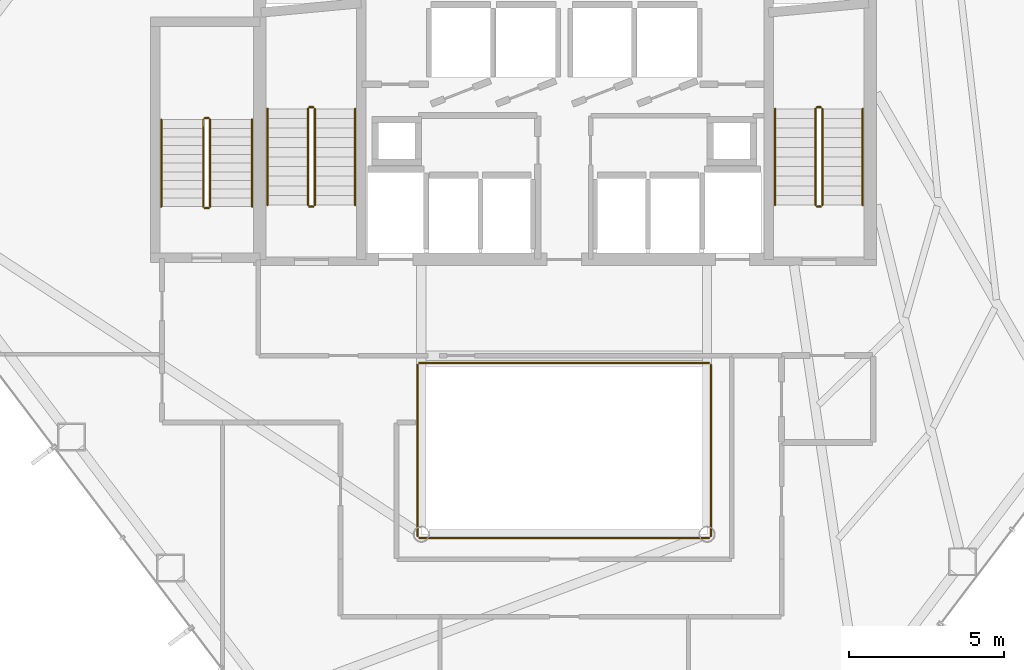
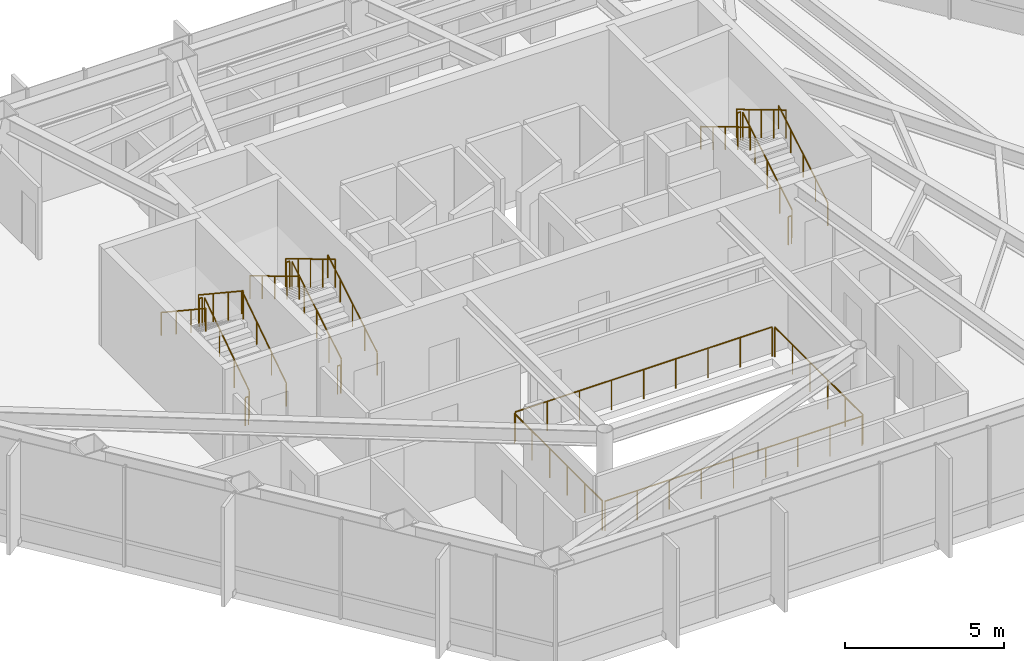
# One storey, part 25 of 25: 22 railings.
"""IFC4 building model written with IfcOpenShell, lengths in metres."""

from ifc_helpers import new_model, si_unit, direction, frame, origin, origin_2d, place, context, subcontext, project, spatial, circle, extrude, material, type_object, element, save


model = new_model("IFC4")

# Units and contexts
model_context = context("Model", 3, precision=1e-05, world=origin(), true_north=direction((0.0, 1.0)))
body_context = subcontext(model_context, "Body", "Model", "MODEL_VIEW")
ifc_project = project(units=[si_unit("LENGTHUNIT", "METRE"), si_unit("AREAUNIT", "SQUARE_METRE"), si_unit("VOLUMEUNIT", "CUBIC_METRE"), si_unit("PLANEANGLEUNIT", "RADIAN"), si_unit("MASSUNIT", "GRAM", prefix="KILO")], contexts=[model_context])

# Site, building, storey
site_placement = place(None, origin())
site = spatial("IfcSite", under=ifc_project, at=site_placement, CompositionType="ELEMENT")
building_placement = place(site_placement, origin())
building = spatial("IfcBuilding", under=site, at=building_placement, Name="Zarrinselat Tower", CompositionType="ELEMENT")
storey_placement = place(building_placement, frame((0.0, 0.0, 88.739990234375)))
storey = spatial("IfcBuildingStorey", under=building, at=storey_placement, Name="L21", CompositionType="ELEMENT", Elevation=88.739990234375)

# Railings
ifc_material_1 = material(Name="Double Low-E Laminated Solar Glass", Category="glass")
railing_type_1 = type_object("IfcRailingType", Name="RLG-ATRIUM-BAL", PredefinedType="BALUSTRADE", material=ifc_material_1)
railing_1_placement = place(storey_placement, frame((33.739990234375, 24.280029296875, 0.0)))
element("IfcRailing", 1, at=railing_1_placement, inside=storey, type_object=railing_type_1, Name="L21 Atrium Void Glass Balustrade S", PredefinedType="BALUSTRADE", context=body_context, shape_type="SweptSolid", body=[
    extrude(circle(Radius=0.02392578125, at=origin_2d()), frame((0.0, 0.0, 1.1259765625), z_axis=(1.0, 0.0, 0.0), x_axis=(0.0, 1.0, 0.0)), (0.0, 0.0, 1.0), 9.320068359375),
    extrude(circle(Radius=0.02099609375, at=origin_2d()), origin(), (0.0, 0.0, 1.0), 1.099853515625),
    extrude(circle(Radius=0.02099609375, at=origin_2d()), frame((1.1650390625, 0.0, 0.0)), (0.0, 0.0, 1.0), 1.099853515625),
    extrude(circle(Radius=0.02099609375, at=origin_2d()), frame((2.330078125, 0.0, 0.0)), (0.0, 0.0, 1.0), 1.099853515625),
    extrude(circle(Radius=0.02099609375, at=origin_2d()), frame((3.4951171875, 0.0, 0.0)), (0.0, 0.0, 1.0), 1.099853515625),
    extrude(circle(Radius=0.02099609375, at=origin_2d()), frame((4.66015625, 0.0, 0.0)), (0.0, 0.0, 1.0), 1.099853515625),
    extrude(circle(Radius=0.02099609375, at=origin_2d()), frame((5.824951171875, 0.0, 0.0)), (0.0, 0.0, 1.0), 1.099853515625),
    extrude(circle(Radius=0.02099609375, at=origin_2d()), frame((6.989990234375, 0.0, 0.0)), (0.0, 0.0, 1.0), 1.099853515625),
    extrude(circle(Radius=0.02099609375, at=origin_2d()), frame((8.155029296875, 0.0, 0.0)), (0.0, 0.0, 1.0), 1.099853515625),
    extrude(circle(Radius=0.02099609375, at=origin_2d()), frame((9.320068359375, 0.0, 0.0)), (0.0, 0.0, 1.0), 1.099853515625),
])
railing_2_placement = place(storey_placement, frame((43.1201171875, 24.340087890625, 0.0)))
element("IfcRailing", 2, at=railing_2_placement, inside=storey, type_object=railing_type_1, Name="L21 Atrium Void Glass Balustrade E", PredefinedType="BALUSTRADE", context=body_context, shape_type="SweptSolid", body=[
    extrude(circle(Radius=0.02392578125, at=origin_2d()), frame((0.0, 0.0, 1.1259765625), z_axis=(0.0, 1.0, 0.0), x_axis=(-1.0, 0.0, 0.0)), (0.0, 0.0, 1.0), 5.52001953125),
    extrude(circle(Radius=0.02099609375, at=origin_2d()), origin(), (0.0, 0.0, 1.0), 1.099853515625),
    extrude(circle(Radius=0.02099609375, at=origin_2d()), frame((0.0, 1.10400390625, 0.0)), (0.0, 0.0, 1.0), 1.099853515625),
    extrude(circle(Radius=0.02099609375, at=origin_2d()), frame((0.0, 2.2080078125, 0.0)), (0.0, 0.0, 1.0), 1.099853515625),
    extrude(circle(Radius=0.02099609375, at=origin_2d()), frame((0.0, 3.31201171875, 0.0)), (0.0, 0.0, 1.0), 1.099853515625),
    extrude(circle(Radius=0.02099609375, at=origin_2d()), frame((0.0, 4.416015625, 0.0)), (0.0, 0.0, 1.0), 1.099853515625),
    extrude(circle(Radius=0.02099609375, at=origin_2d()), frame((0.0, 5.52001953125, 0.0)), (0.0, 0.0, 1.0), 1.099853515625),
])
railing_3_placement = place(storey_placement, frame((43.06005859375, 29.919921875, 0.0)))
element("IfcRailing", 3, at=railing_3_placement, inside=storey, type_object=railing_type_1, Name="L21 Atrium Void Glass Balustrade N", PredefinedType="BALUSTRADE", context=body_context, shape_type="SweptSolid", body=[
    extrude(circle(Radius=0.02392578125, at=origin_2d()), frame((0.0, 0.0, 1.1259765625), z_axis=(-1.0, 0.0, 0.0), x_axis=(0.0, -1.0, 0.0)), (0.0, 0.0, 1.0), 9.320068359375),
    extrude(circle(Radius=0.02099609375, at=origin_2d()), origin(), (0.0, 0.0, 1.0), 1.099853515625),
    extrude(circle(Radius=0.02099609375, at=origin_2d()), frame((-1.1650390625, 0.0, 0.0)), (0.0, 0.0, 1.0), 1.099853515625),
    extrude(circle(Radius=0.02099609375, at=origin_2d()), frame((-2.330078125, 0.0, 0.0)), (0.0, 0.0, 1.0), 1.099853515625),
    extrude(circle(Radius=0.02099609375, at=origin_2d()), frame((-3.4951171875, 0.0, 0.0)), (0.0, 0.0, 1.0), 1.099853515625),
    extrude(circle(Radius=0.02099609375, at=origin_2d()), frame((-4.66015625, 0.0, 0.0)), (0.0, 0.0, 1.0), 1.099853515625),
    extrude(circle(Radius=0.02099609375, at=origin_2d()), frame((-5.824951171875, 0.0, 0.0)), (0.0, 0.0, 1.0), 1.099853515625),
    extrude(circle(Radius=0.02099609375, at=origin_2d()), frame((-6.989990234375, 0.0, 0.0)), (0.0, 0.0, 1.0), 1.099853515625),
    extrude(circle(Radius=0.02099609375, at=origin_2d()), frame((-8.155029296875, 0.0, 0.0)), (0.0, 0.0, 1.0), 1.099853515625),
    extrude(circle(Radius=0.02099609375, at=origin_2d()), frame((-9.320068359375, 0.0, 0.0)), (0.0, 0.0, 1.0), 1.099853515625),
])
railing_4_placement = place(storey_placement, frame((33.679931640625, 29.860107421875, 0.0)))
element("IfcRailing", 4, at=railing_4_placement, inside=storey, type_object=railing_type_1, Name="L21 Atrium Void Glass Balustrade W", PredefinedType="BALUSTRADE", context=body_context, shape_type="SweptSolid", body=[
    extrude(circle(Radius=0.02392578125, at=origin_2d()), frame((0.0, 0.0, 1.1259765625), z_axis=(0.0, -1.0, 0.0), x_axis=(1.0, 0.0, 0.0)), (0.0, 0.0, 1.0), 5.52001953125),
    extrude(circle(Radius=0.02099609375, at=origin_2d()), origin(), (0.0, 0.0, 1.0), 1.099853515625),
    extrude(circle(Radius=0.02099609375, at=origin_2d()), frame((0.0, -1.10400390625, 0.0)), (0.0, 0.0, 1.0), 1.099853515625),
    extrude(circle(Radius=0.02099609375, at=origin_2d()), frame((0.0, -2.2080078125, 0.0)), (0.0, 0.0, 1.0), 1.099853515625),
    extrude(circle(Radius=0.02099609375, at=origin_2d()), frame((0.0, -3.31201171875, 0.0)), (0.0, 0.0, 1.0), 1.099853515625),
    extrude(circle(Radius=0.02099609375, at=origin_2d()), frame((0.0, -4.416015625, 0.0)), (0.0, 0.0, 1.0), 1.099853515625),
    extrude(circle(Radius=0.02099609375, at=origin_2d()), frame((0.0, -5.52001953125, 0.0)), (0.0, 0.0, 1.0), 1.099853515625),
])
ifc_material_2 = material(Name="Steel S355J2", Category="steel")
railing_type_2 = type_object("IfcRailingType", Name="RLG-STAIR-GUARD", PredefinedType="GUARDRAIL", material=ifc_material_2)
railing_5_placement = place(storey_placement, frame((30.3701171875, 35.0, 0.185546875)))
element("IfcRailing", 5, at=railing_5_placement, inside=storey, type_object=railing_type_2, Name="L21 ST-1 stair guard 1", PredefinedType="GUARDRAIL", context=body_context, shape_type="SweptSolid", body=[
    extrude(circle(Radius=0.02392578125, at=origin_2d()), frame((0.0, 0.0, 1.076171875), z_axis=(0.0, 0.858171985069, 0.513362293163), x_axis=(-1.0, 0.0, 0.0)), (0.0, 0.0, 1.0), 3.612548828125),
    extrude(circle(Radius=0.02099609375, at=origin_2d()), origin(), (0.0, 0.0, 1.0), 1.050048828125),
    extrude(circle(Radius=0.02099609375, at=origin_2d()), frame((0.0, 0.77490234375, 0.463623046875)), (0.0, 0.0, 1.0), 1.050048828125),
    extrude(circle(Radius=0.02099609375, at=origin_2d()), frame((0.0, 1.550048828125, 0.92724609375)), (0.0, 0.0, 1.0), 1.050048828125),
    extrude(circle(Radius=0.02099609375, at=origin_2d()), frame((0.0, 2.3251953125, 1.390869140625)), (0.0, 0.0, 1.0), 1.050048828125),
    extrude(circle(Radius=0.02099609375, at=origin_2d()), frame((0.0, 3.10009765625, 1.8544921875)), (0.0, 0.0, 1.0), 1.050048828125),
])
railing_6_placement = place(storey_placement, frame((30.320068359375, 38.14990234375, 2.0400390625)))
element("IfcRailing", 6, at=railing_6_placement, inside=storey, type_object=railing_type_2, Name="L21 ST-1 stair guard 2", PredefinedType="GUARDRAIL", context=body_context, shape_type="SweptSolid", body=[
    extrude(circle(Radius=0.02392578125, at=origin_2d()), frame((0.0, 0.0, 1.076171875), z_axis=(-1.0, 0.0, 0.0), x_axis=(0.0, -1.0, 0.0)), (0.0, 0.0, 1.0), 0.1201171875),
    extrude(circle(Radius=0.02099609375, at=origin_2d()), origin(), (0.0, 0.0, 1.0), 1.050048828125),
    extrude(circle(Radius=0.02099609375, at=origin_2d()), frame((-0.1201171875, 0.0, 0.0)), (0.0, 0.0, 1.0), 1.050048828125),
])
railing_7_placement = place(storey_placement, frame((30.14990234375, 38.10009765625, 2.2255859375)))
element("IfcRailing", 7, at=railing_7_placement, inside=storey, type_object=railing_type_2, Name="L21 ST-1 stair guard 3", PredefinedType="GUARDRAIL", context=body_context, shape_type="SweptSolid", body=[
    extrude(circle(Radius=0.02392578125, at=origin_2d()), frame((0.0, 0.0, 1.076171875), z_axis=(0.0, -0.858171985069, 0.513362293163), x_axis=(1.0, 0.0, 0.0)), (0.0, 0.0, 1.0), 3.612548828125),
    extrude(circle(Radius=0.02099609375, at=origin_2d()), origin(), (0.0, 0.0, 1.0), 1.050048828125),
    extrude(circle(Radius=0.02099609375, at=origin_2d()), frame((0.0, -0.77490234375, 0.463623046875)), (0.0, 0.0, 1.0), 1.050048828125),
    extrude(circle(Radius=0.02099609375, at=origin_2d()), frame((0.0, -1.550048828125, 0.92724609375)), (0.0, 0.0, 1.0), 1.050048828125),
    extrude(circle(Radius=0.02099609375, at=origin_2d()), frame((0.0, -2.3251953125, 1.390869140625)), (0.0, 0.0, 1.0), 1.050048828125),
    extrude(circle(Radius=0.02099609375, at=origin_2d()), frame((0.0, -3.10009765625, 1.8544921875)), (0.0, 0.0, 1.0), 1.050048828125),
])
railing_8_placement = place(storey_placement, frame((30.320068359375, 34.949951171875, 0.0)))
element("IfcRailing", 8, at=railing_8_placement, inside=storey, type_object=railing_type_2, Name="L21 ST-1 stair guard 4", PredefinedType="GUARDRAIL", context=body_context, shape_type="SweptSolid", body=[
    extrude(circle(Radius=0.02392578125, at=origin_2d()), frame((0.0, 0.0, 1.076171875), z_axis=(-1.0, 0.0, 0.0), x_axis=(0.0, -1.0, 0.0)), (0.0, 0.0, 1.0), 0.1201171875),
    extrude(circle(Radius=0.02099609375, at=origin_2d()), origin(), (0.0, 0.0, 1.0), 1.050048828125),
    extrude(circle(Radius=0.02099609375, at=origin_2d()), frame((-0.1201171875, 0.0, 0.0)), (0.0, 0.0, 1.0), 1.050048828125),
])
railing_9_placement = place(storey_placement, frame((46.7099609375, 35.0, 0.185546875)))
element("IfcRailing", 9, at=railing_9_placement, inside=storey, type_object=railing_type_2, Name="L21 ST-2 stair guard 1", PredefinedType="GUARDRAIL", context=body_context, shape_type="SweptSolid", body=[
    extrude(circle(Radius=0.02392578125, at=origin_2d()), frame((0.0, 0.0, 1.076171875), z_axis=(0.0, 0.858171985069, 0.513362293163), x_axis=(-1.0, 0.0, 0.0)), (0.0, 0.0, 1.0), 3.612548828125),
    extrude(circle(Radius=0.02099609375, at=origin_2d()), origin(), (0.0, 0.0, 1.0), 1.050048828125),
    extrude(circle(Radius=0.02099609375, at=origin_2d()), frame((0.0, 0.77490234375, 0.463623046875)), (0.0, 0.0, 1.0), 1.050048828125),
    extrude(circle(Radius=0.02099609375, at=origin_2d()), frame((0.0, 1.550048828125, 0.92724609375)), (0.0, 0.0, 1.0), 1.050048828125),
    extrude(circle(Radius=0.02099609375, at=origin_2d()), frame((0.0, 2.3251953125, 1.390869140625)), (0.0, 0.0, 1.0), 1.050048828125),
    extrude(circle(Radius=0.02099609375, at=origin_2d()), frame((0.0, 3.10009765625, 1.8544921875)), (0.0, 0.0, 1.0), 1.050048828125),
])
railing_10_placement = place(storey_placement, frame((46.659912109375, 38.14990234375, 2.0400390625)))
element("IfcRailing", 10, at=railing_10_placement, inside=storey, type_object=railing_type_2, Name="L21 ST-2 stair guard 2", PredefinedType="GUARDRAIL", context=body_context, shape_type="SweptSolid", body=[
    extrude(circle(Radius=0.02392578125, at=origin_2d()), frame((0.0, 0.0, 1.076171875), z_axis=(-1.0, 0.0, 0.0), x_axis=(0.0, -1.0, 0.0)), (0.0, 0.0, 1.0), 0.119873046875),
    extrude(circle(Radius=0.02099609375, at=origin_2d()), origin(), (0.0, 0.0, 1.0), 1.050048828125),
    extrude(circle(Radius=0.02099609375, at=origin_2d()), frame((-0.119873046875, 0.0, 0.0)), (0.0, 0.0, 1.0), 1.050048828125),
])
railing_11_placement = place(storey_placement, frame((46.489990234375, 38.10009765625, 2.2255859375)))
element("IfcRailing", 11, at=railing_11_placement, inside=storey, type_object=railing_type_2, Name="L21 ST-2 stair guard 3", PredefinedType="GUARDRAIL", context=body_context, shape_type="SweptSolid", body=[
    extrude(circle(Radius=0.02392578125, at=origin_2d()), frame((0.0, 0.0, 1.076171875), z_axis=(0.0, -0.858171985069, 0.513362293163), x_axis=(1.0, 0.0, 0.0)), (0.0, 0.0, 1.0), 3.612548828125),
    extrude(circle(Radius=0.02099609375, at=origin_2d()), origin(), (0.0, 0.0, 1.0), 1.050048828125),
    extrude(circle(Radius=0.02099609375, at=origin_2d()), frame((0.0, -0.77490234375, 0.463623046875)), (0.0, 0.0, 1.0), 1.050048828125),
    extrude(circle(Radius=0.02099609375, at=origin_2d()), frame((0.0, -1.550048828125, 0.92724609375)), (0.0, 0.0, 1.0), 1.050048828125),
    extrude(circle(Radius=0.02099609375, at=origin_2d()), frame((0.0, -2.3251953125, 1.390869140625)), (0.0, 0.0, 1.0), 1.050048828125),
    extrude(circle(Radius=0.02099609375, at=origin_2d()), frame((0.0, -3.10009765625, 1.8544921875)), (0.0, 0.0, 1.0), 1.050048828125),
])
railing_12_placement = place(storey_placement, frame((46.659912109375, 34.949951171875, 0.0)))
element("IfcRailing", 12, at=railing_12_placement, inside=storey, type_object=railing_type_2, Name="L21 ST-2 stair guard 4", PredefinedType="GUARDRAIL", context=body_context, shape_type="SweptSolid", body=[
    extrude(circle(Radius=0.02392578125, at=origin_2d()), frame((0.0, 0.0, 1.076171875), z_axis=(-1.0, 0.0, 0.0), x_axis=(0.0, -1.0, 0.0)), (0.0, 0.0, 1.0), 0.119873046875),
    extrude(circle(Radius=0.02099609375, at=origin_2d()), origin(), (0.0, 0.0, 1.0), 1.050048828125),
    extrude(circle(Radius=0.02099609375, at=origin_2d()), frame((-0.119873046875, 0.0, 0.0)), (0.0, 0.0, 1.0), 1.050048828125),
])
railing_13_placement = place(storey_placement, frame((27.0, 34.949951171875, 0.185546875)))
element("IfcRailing", 13, at=railing_13_placement, inside=storey, type_object=railing_type_2, Name="L21 ST-3 stair guard 1", PredefinedType="GUARDRAIL", context=body_context, shape_type="SweptSolid", body=[
    extrude(circle(Radius=0.02392578125, at=origin_2d()), frame((0.0, 0.0, 1.076171875), z_axis=(0.0, 0.833724036255, 0.552181339209), x_axis=(-1.0, 0.0, 0.0)), (0.0, 0.0, 1.0), 3.3583984375),
    extrude(circle(Radius=0.02099609375, at=origin_2d()), origin(), (0.0, 0.0, 1.0), 1.050048828125),
    extrude(circle(Radius=0.02099609375, at=origin_2d()), frame((0.0, 0.933349609375, 0.6181640625)), (0.0, 0.0, 1.0), 1.050048828125),
    extrude(circle(Radius=0.02099609375, at=origin_2d()), frame((0.0, 1.86669921875, 1.236328125)), (0.0, 0.0, 1.0), 1.050048828125),
    extrude(circle(Radius=0.02099609375, at=origin_2d()), frame((0.0, 2.800048828125, 1.8544921875)), (0.0, 0.0, 1.0), 1.050048828125),
])
railing_14_placement = place(storey_placement, frame((26.949951171875, 37.800048828125, 2.0400390625)))
element("IfcRailing", 14, at=railing_14_placement, inside=storey, type_object=railing_type_2, Name="L21 ST-3 stair guard 2", PredefinedType="GUARDRAIL", context=body_context, shape_type="SweptSolid", body=[
    extrude(circle(Radius=0.02392578125, at=origin_2d()), frame((0.0, 0.0, 1.076171875), z_axis=(-1.0, 0.0, 0.0), x_axis=(0.0, -1.0, 0.0)), (0.0, 0.0, 1.0), 0.119873046875),
    extrude(circle(Radius=0.02099609375, at=origin_2d()), origin(), (0.0, 0.0, 1.0), 1.050048828125),
    extrude(circle(Radius=0.02099609375, at=origin_2d()), frame((-0.119873046875, 0.0, 0.0)), (0.0, 0.0, 1.0), 1.050048828125),
])
railing_15_placement = place(storey_placement, frame((26.780029296875, 37.75, 2.2255859375)))
element("IfcRailing", 15, at=railing_15_placement, inside=storey, type_object=railing_type_2, Name="L21 ST-3 stair guard 3", PredefinedType="GUARDRAIL", context=body_context, shape_type="SweptSolid", body=[
    extrude(circle(Radius=0.02392578125, at=origin_2d()), frame((0.0, 0.0, 1.076171875), z_axis=(0.0, -0.833724036255, 0.552181339209), x_axis=(1.0, 0.0, 0.0)), (0.0, 0.0, 1.0), 3.3583984375),
    extrude(circle(Radius=0.02099609375, at=origin_2d()), origin(), (0.0, 0.0, 1.0), 1.050048828125),
    extrude(circle(Radius=0.02099609375, at=origin_2d()), frame((0.0, -0.933349609375, 0.6181640625)), (0.0, 0.0, 1.0), 1.050048828125),
    extrude(circle(Radius=0.02099609375, at=origin_2d()), frame((0.0, -1.86669921875, 1.236328125)), (0.0, 0.0, 1.0), 1.050048828125),
    extrude(circle(Radius=0.02099609375, at=origin_2d()), frame((0.0, -2.800048828125, 1.8544921875)), (0.0, 0.0, 1.0), 1.050048828125),
])
railing_16_placement = place(storey_placement, frame((26.949951171875, 34.89990234375, 0.0)))
element("IfcRailing", 16, at=railing_16_placement, inside=storey, type_object=railing_type_2, Name="L21 ST-3 stair guard 4", PredefinedType="GUARDRAIL", context=body_context, shape_type="SweptSolid", body=[
    extrude(circle(Radius=0.02392578125, at=origin_2d()), frame((0.0, 0.0, 1.076171875), z_axis=(-1.0, 0.0, 0.0), x_axis=(0.0, -1.0, 0.0)), (0.0, 0.0, 1.0), 0.119873046875),
    extrude(circle(Radius=0.02099609375, at=origin_2d()), origin(), (0.0, 0.0, 1.0), 1.050048828125),
    extrude(circle(Radius=0.02099609375, at=origin_2d()), frame((-0.119873046875, 0.0, 0.0)), (0.0, 0.0, 1.0), 1.050048828125),
])
ifc_material_3 = material(Name="Steel S355J2", Category="steel")
railing_type_3 = type_object("IfcRailingType", Name="RLG-STAIR-HAND", PredefinedType="HANDRAIL", material=ifc_material_3)
railing_17_placement = place(storey_placement, frame((31.669921875, 35.0, 0.185546875)))
element("IfcRailing", 17, at=railing_17_placement, inside=storey, type_object=railing_type_3, Name="L21 ST-1 stair handrail 1", PredefinedType="HANDRAIL", context=body_context, shape_type="SweptSolid", body=[
    extrude(circle(Radius=0.02392578125, at=origin_2d()), frame((0.0, 0.0, 0.8759765625), z_axis=(0.0, 0.858171985069, 0.513362293163), x_axis=(-1.0, 0.0, 0.0)), (0.0, 0.0, 1.0), 3.612548828125),
    extrude(circle(Radius=0.02099609375, at=origin_2d()), origin(), (0.0, 0.0, 1.0), 0.849853515625),
    extrude(circle(Radius=0.02099609375, at=origin_2d()), frame((0.0, 0.77490234375, 0.463623046875)), (0.0, 0.0, 1.0), 0.849853515625),
    extrude(circle(Radius=0.02099609375, at=origin_2d()), frame((0.0, 1.550048828125, 0.92724609375)), (0.0, 0.0, 1.0), 0.849853515625),
    extrude(circle(Radius=0.02099609375, at=origin_2d()), frame((0.0, 2.3251953125, 1.390869140625)), (0.0, 0.0, 1.0), 0.849853515625),
    extrude(circle(Radius=0.02099609375, at=origin_2d()), frame((0.0, 3.10009765625, 1.8544921875)), (0.0, 0.0, 1.0), 0.849853515625),
])
railing_18_placement = place(storey_placement, frame((28.85009765625, 38.10009765625, 2.2255859375)))
element("IfcRailing", 18, at=railing_18_placement, inside=storey, type_object=railing_type_3, Name="L21 ST-1 stair handrail 2", PredefinedType="HANDRAIL", context=body_context, shape_type="SweptSolid", body=[
    extrude(circle(Radius=0.02392578125, at=origin_2d()), frame((0.0, 0.0, 0.8759765625), z_axis=(0.0, -0.858171985069, 0.513362293163), x_axis=(1.0, 0.0, 0.0)), (0.0, 0.0, 1.0), 3.612548828125),
    extrude(circle(Radius=0.02099609375, at=origin_2d()), origin(), (0.0, 0.0, 1.0), 0.849853515625),
    extrude(circle(Radius=0.02099609375, at=origin_2d()), frame((0.0, -0.77490234375, 0.463623046875)), (0.0, 0.0, 1.0), 0.849853515625),
    extrude(circle(Radius=0.02099609375, at=origin_2d()), frame((0.0, -1.550048828125, 0.92724609375)), (0.0, 0.0, 1.0), 0.849853515625),
    extrude(circle(Radius=0.02099609375, at=origin_2d()), frame((0.0, -2.3251953125, 1.390869140625)), (0.0, 0.0, 1.0), 0.849853515625),
    extrude(circle(Radius=0.02099609375, at=origin_2d()), frame((0.0, -3.10009765625, 1.8544921875)), (0.0, 0.0, 1.0), 0.849853515625),
])
railing_19_placement = place(storey_placement, frame((48.010009765625, 35.0, 0.185546875)))
element("IfcRailing", 19, at=railing_19_placement, inside=storey, type_object=railing_type_3, Name="L21 ST-2 stair handrail 1", PredefinedType="HANDRAIL", context=body_context, shape_type="SweptSolid", body=[
    extrude(circle(Radius=0.02392578125, at=origin_2d()), frame((0.0, 0.0, 0.8759765625), z_axis=(0.0, 0.858171985069, 0.513362293163), x_axis=(-1.0, 0.0, 0.0)), (0.0, 0.0, 1.0), 3.612548828125),
    extrude(circle(Radius=0.02099609375, at=origin_2d()), origin(), (0.0, 0.0, 1.0), 0.849853515625),
    extrude(circle(Radius=0.02099609375, at=origin_2d()), frame((0.0, 0.77490234375, 0.463623046875)), (0.0, 0.0, 1.0), 0.849853515625),
    extrude(circle(Radius=0.02099609375, at=origin_2d()), frame((0.0, 1.550048828125, 0.92724609375)), (0.0, 0.0, 1.0), 0.849853515625),
    extrude(circle(Radius=0.02099609375, at=origin_2d()), frame((0.0, 2.3251953125, 1.390869140625)), (0.0, 0.0, 1.0), 0.849853515625),
    extrude(circle(Radius=0.02099609375, at=origin_2d()), frame((0.0, 3.10009765625, 1.8544921875)), (0.0, 0.0, 1.0), 0.849853515625),
])
railing_20_placement = place(storey_placement, frame((45.18994140625, 38.10009765625, 2.2255859375)))
element("IfcRailing", 20, at=railing_20_placement, inside=storey, type_object=railing_type_3, Name="L21 ST-2 stair handrail 2", PredefinedType="HANDRAIL", context=body_context, shape_type="SweptSolid", body=[
    extrude(circle(Radius=0.02392578125, at=origin_2d()), frame((0.0, 0.0, 0.8759765625), z_axis=(0.0, -0.858171985069, 0.513362293163), x_axis=(1.0, 0.0, 0.0)), (0.0, 0.0, 1.0), 3.612548828125),
    extrude(circle(Radius=0.02099609375, at=origin_2d()), origin(), (0.0, 0.0, 1.0), 0.849853515625),
    extrude(circle(Radius=0.02099609375, at=origin_2d()), frame((0.0, -0.77490234375, 0.463623046875)), (0.0, 0.0, 1.0), 0.849853515625),
    extrude(circle(Radius=0.02099609375, at=origin_2d()), frame((0.0, -1.550048828125, 0.92724609375)), (0.0, 0.0, 1.0), 0.849853515625),
    extrude(circle(Radius=0.02099609375, at=origin_2d()), frame((0.0, -2.3251953125, 1.390869140625)), (0.0, 0.0, 1.0), 0.849853515625),
    extrude(circle(Radius=0.02099609375, at=origin_2d()), frame((0.0, -3.10009765625, 1.8544921875)), (0.0, 0.0, 1.0), 0.849853515625),
])
railing_21_placement = place(storey_placement, frame((28.35009765625, 34.949951171875, 0.185546875)))
element("IfcRailing", 21, at=railing_21_placement, inside=storey, type_object=railing_type_3, Name="L21 ST-3 stair handrail 1", PredefinedType="HANDRAIL", context=body_context, shape_type="SweptSolid", body=[
    extrude(circle(Radius=0.02392578125, at=origin_2d()), frame((0.0, 0.0, 0.8759765625), z_axis=(0.0, 0.833724036255, 0.552181339209), x_axis=(-1.0, 0.0, 0.0)), (0.0, 0.0, 1.0), 3.3583984375),
    extrude(circle(Radius=0.02099609375, at=origin_2d()), origin(), (0.0, 0.0, 1.0), 0.849853515625),
    extrude(circle(Radius=0.02099609375, at=origin_2d()), frame((0.0, 0.933349609375, 0.6181640625)), (0.0, 0.0, 1.0), 0.849853515625),
    extrude(circle(Radius=0.02099609375, at=origin_2d()), frame((0.0, 1.86669921875, 1.236328125)), (0.0, 0.0, 1.0), 0.849853515625),
    extrude(circle(Radius=0.02099609375, at=origin_2d()), frame((0.0, 2.800048828125, 1.8544921875)), (0.0, 0.0, 1.0), 0.849853515625),
])
railing_22_placement = place(storey_placement, frame((25.429931640625, 37.75, 2.2255859375)))
element("IfcRailing", 22, at=railing_22_placement, inside=storey, type_object=railing_type_3, Name="L21 ST-3 stair handrail 2", PredefinedType="HANDRAIL", context=body_context, shape_type="SweptSolid", body=[
    extrude(circle(Radius=0.02392578125, at=origin_2d()), frame((0.0, 0.0, 0.8759765625), z_axis=(0.0, -0.833724036255, 0.552181339209), x_axis=(1.0, 0.0, 0.0)), (0.0, 0.0, 1.0), 3.3583984375),
    extrude(circle(Radius=0.02099609375, at=origin_2d()), origin(), (0.0, 0.0, 1.0), 0.849853515625),
    extrude(circle(Radius=0.02099609375, at=origin_2d()), frame((0.0, -0.933349609375, 0.6181640625)), (0.0, 0.0, 1.0), 0.849853515625),
    extrude(circle(Radius=0.02099609375, at=origin_2d()), frame((0.0, -1.86669921875, 1.236328125)), (0.0, 0.0, 1.0), 0.849853515625),
    extrude(circle(Radius=0.02099609375, at=origin_2d()), frame((0.0, -2.800048828125, 1.8544921875)), (0.0, 0.0, 1.0), 0.849853515625),
])

save(model, "model.ifc")
